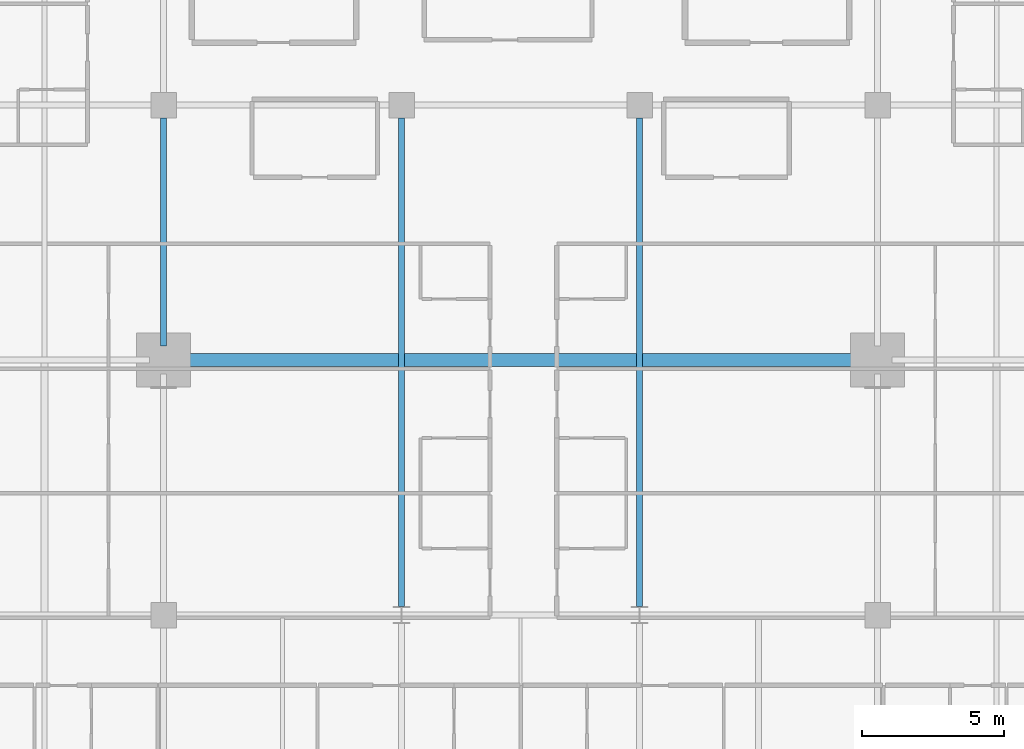
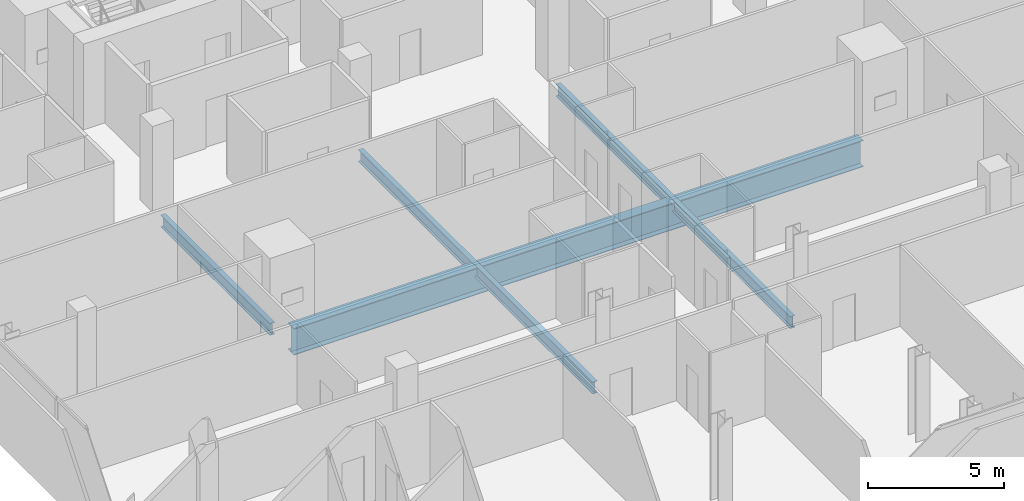
# One storey, part 11 of 34: 4 beams.
"""IFC4 building model written with IfcOpenShell, lengths in metres."""

from ifc_helpers import new_model, si_unit, direction, frame, origin, origin_2d, place, context, subcontext, project, spatial, i_section, extrude, material, material_profile, profile_set, type_object, element, save


model = new_model("IFC4")

# Units and contexts
model_context = context("Model", 3, precision=1e-05, world=origin(), true_north=direction((0.0, 1.0)))
body_context = subcontext(model_context, "Body", "Model", "MODEL_VIEW")
ifc_project = project(units=[si_unit("LENGTHUNIT", "METRE"), si_unit("AREAUNIT", "SQUARE_METRE"), si_unit("VOLUMEUNIT", "CUBIC_METRE"), si_unit("PLANEANGLEUNIT", "RADIAN"), si_unit("MASSUNIT", "GRAM", prefix="KILO")], contexts=[model_context])

# Site, building, storey
site_placement = place(None, origin())
site = spatial("IfcSite", under=ifc_project, at=site_placement, CompositionType="ELEMENT")
building_placement = place(site_placement, origin())
building = spatial("IfcBuilding", under=site, at=building_placement, Name="Maruvema Waterfront Hotel and Observation Tower", CompositionType="ELEMENT")
storey_placement = place(building_placement, frame((0.0, 0.0, 208.25)))
storey = spatial("IfcBuildingStorey", under=building, at=storey_placement, Name="L51", CompositionType="ELEMENT", Elevation=208.25)

# Beams
ifc_material_1 = material(Name="Steel ASTM A572 Grade 50", Category="steel")
ifc_material_profile_1 = material_profile(ifc_material_1, i_section(OverallWidth=0.2109375, OverallDepth=0.5390625, WebThickness=0.01171875, FlangeThickness=0.018798828125, FilletRadius=0.014892578125, at=origin_2d()), Name="W530x109.0")
ifc_profile_set_1 = profile_set([ifc_material_profile_1], Name="Steel ASTM A572 Grade 50")
beam_type_1 = type_object("IfcBeamType", Name="Primary Floor Girder W530x109.0", PredefinedType="BEAM", material=ifc_profile_set_1)
beam_1_placement = place(storey_placement, frame((25.199951171875, 27.5, -0.509521484375), z_axis=(0.0, 1.0, 0.0), x_axis=(-1.0, 0.0, 0.0)))
element("IfcBeam", 1, at=beam_1_placement, inside=storey, type_object=beam_type_1, Name="L51 Floor Girder NS-12", PredefinedType="BEAM", context=body_context, shape_type="SweptSolid", body=[
    extrude(i_section(OverallWidth=0.2109375, OverallDepth=0.5390625, WebThickness=0.01171875, FlangeThickness=0.018798828125, FilletRadius=0.014892578125, at=origin_2d()), origin(), (0.0, 0.0, 1.0), 8.050048828125),
])
for number, where, z_axis, x_axis, name in (
    (2, (33.60009765625, 18.300048828125, -0.509521484375), (0.0, 1.0, 0.0), (-1.0, 0.0, 0.0), "L51 Floor Girder NS-16"),
    (3, (42.0, 18.300048828125, -0.509521484375), (0.0, 1.0, 0.0), (-1.0, 0.0, 0.0), "L51 Floor Girder NS-19"),
):
    element("IfcBeam", number, at=place(storey_placement, frame(where, z_axis=z_axis, x_axis=x_axis)), inside=storey, type_object=beam_type_1, Name=name, PredefinedType="BEAM", context=body_context, shape_type="SweptSolid", body=[
        extrude(i_section(OverallWidth=0.2109375, OverallDepth=0.5390625, WebThickness=0.01171875, FlangeThickness=0.018798828125, FilletRadius=0.014892578125, at=origin_2d()), origin(), (0.0, 0.0, 1.0), 17.25),
    ])
ifc_material_2 = material(Name="Steel ABNT NBR 7007 AR 415 (ASTM A572 Grade 50)", Category="steel")
ifc_material_profile_2 = material_profile(ifc_material_2, i_section(OverallWidth=0.449951171875, OverallDepth=1.199951171875, WebThickness=0.01904296875, FlangeThickness=0.031982421875, at=origin_2d()), Name="VS1200x366")
ifc_profile_set_2 = profile_set([ifc_material_profile_2], Name="Steel ABNT NBR 7007 AR 415 (ASTM A572 Grade 50)")
beam_type_2 = type_object("IfcBeamType", Name="Upper Setback Transfer Girder VS1200x366", PredefinedType="USERDEFINED", material=ifc_profile_set_2)
beam_2_placement = place(storey_placement, frame((25.699951171875, 27.0, -0.840087890625), z_axis=(1.0, 0.0, 0.0), x_axis=(0.0, 1.0, 0.0)))
element("IfcBeam", 4, at=beam_2_placement, inside=storey, type_object=beam_type_2, Name="L51 Floor Girder EW-20", ObjectType="TRANSFER GIRDER", PredefinedType="USERDEFINED", context=body_context, shape_type="SweptSolid", body=[
    extrude(i_section(OverallWidth=0.449951171875, OverallDepth=1.199951171875, WebThickness=0.01904296875, FlangeThickness=0.031982421875, at=origin_2d()), origin(), (0.0, 0.0, 1.0), 24.199951171875),
])

save(model, "model.ifc")
